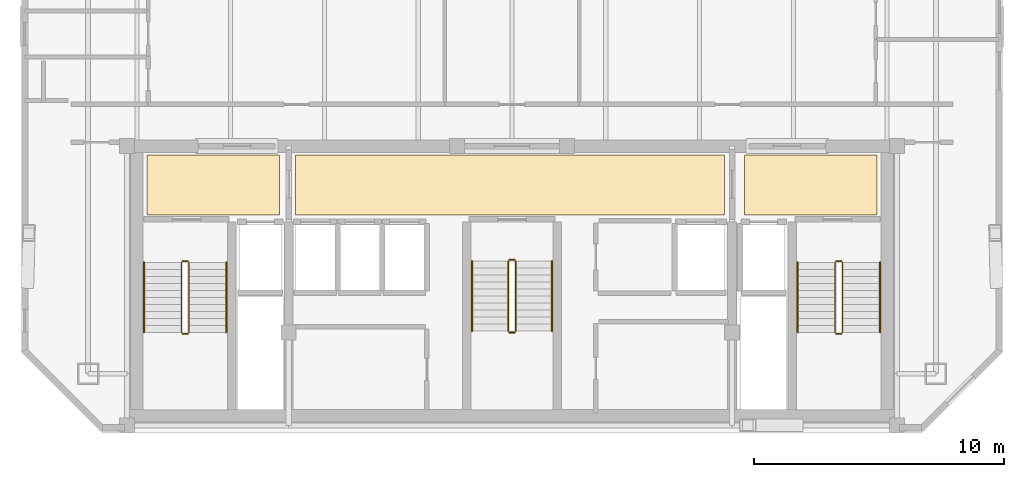
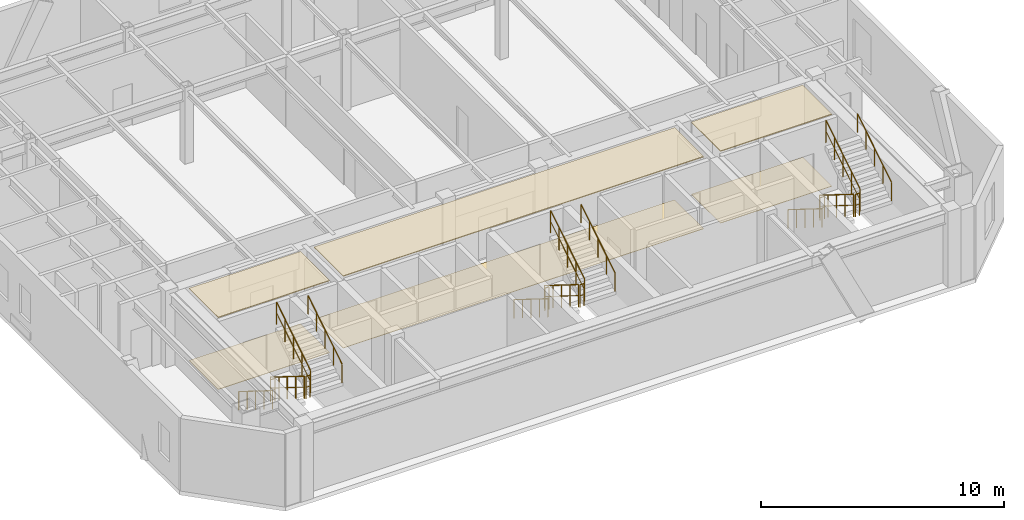
# One storey, part 7 of 7: 18 railings, 6 coverings.
"""IFC4 building model written with IfcOpenShell, lengths in metres."""

import ifcopenshell
import ifcopenshell.guid

model = None  # the IFC model being written
_history = None  # IfcOwnerHistory: only IFC2X3 demands one
_inside = {}  # id of a spatial element -> (the spatial element, [elements in it])
_under = {}  # id of a project, library or spatial element -> (it, [spatial elements below it])
_declared = {}  # id of a project -> (the project, [libraries it declares])
_typed = {}  # id of a type object -> (the type object, [elements of that type])
_made_of = {}  # id of a material, layer set ... -> (it, [elements and type objects made of it])


def new_model(schema):
    """Start an empty IFC model of exactly this schema.

    Asked for "IFC4X3", IfcOpenShell would pick the latest addendum, in which some entities
    have other attributes; the version numbers below select the first issue.
    IFC2X3 requires an IfcOwnerHistory on every rooted entity: one is made here for all.
    """
    global model, _history
    if schema == "IFC4X3":
        model = ifcopenshell.file(schema_version=(4, 3, 0, 0))
    else:
        model = ifcopenshell.file(schema=schema)
    _inside.clear()
    _under.clear()
    _declared.clear()
    _typed.clear()
    _made_of.clear()
    _history = None
    if model.schema == "IFC2X3":
        org = make("IfcOrganization", Name="unknown")
        user = make(
            "IfcPersonAndOrganization",
            ThePerson=make("IfcPerson", FamilyName="unknown"),
            TheOrganization=org,
        )
        app = make(
            "IfcApplication",
            ApplicationDeveloper=org,
            Version="unknown",
            ApplicationFullName="unknown",
            ApplicationIdentifier="unknown",
        )
        _history = make(
            "IfcOwnerHistory",
            OwningUser=user,
            OwningApplication=app,
            ChangeAction="ADDED",
            CreationDate=0,
        )
    return model


def make(cls, **values):
    """One entity of the class cls with the attributes given. An attribute that is None is left unset."""
    return model.create_entity(
        cls, **{name: value for name, value in values.items() if value is not None}
    )


def rooted(cls, **values):
    """An entity with a GlobalId (a new one), such as an element, a storey or a relation."""
    return make(cls, GlobalId=ifcopenshell.guid.new(), OwnerHistory=_history, **values)


def si_unit(unit_type, name, prefix=None):
    """IfcSIUnit, for example si_unit("LENGTHUNIT", "METRE", prefix="MILLI")."""
    return make("IfcSIUnit", UnitType=unit_type, Prefix=prefix, Name=name)


def assignment(units):
    """IfcUnitAssignment: the units of a project."""
    return None if units is None else make("IfcUnitAssignment", Units=units)


def point(xyz):
    """IfcCartesianPoint."""
    return None if xyz is None else make("IfcCartesianPoint", Coordinates=xyz)


def direction(xyz):
    """IfcDirection."""
    return None if xyz is None else make("IfcDirection", DirectionRatios=xyz)


def frame(location, z_axis=None, x_axis=None):
    """IfcAxis2Placement3D, a coordinate frame: its origin and axes. An axis left out is left unset."""
    return make(
        "IfcAxis2Placement3D",
        Location=point(location),
        Axis=direction(z_axis),
        RefDirection=direction(x_axis),
    )


def frame_2d(location, x_axis=None):
    """IfcAxis2Placement2D, a coordinate frame in the plane: its origin and x axis."""
    return make(
        "IfcAxis2Placement2D", Location=point(location), RefDirection=direction(x_axis)
    )


def origin():
    """The frame at (0, 0, 0) with its axes left unset."""
    return frame((0.0, 0.0, 0.0))


def origin_2d():
    """The frame at (0, 0) in the plane with its x axis left unset."""
    return frame_2d((0.0, 0.0))


def place(relative_to, where):
    """IfcLocalPlacement: puts the frame where relative to a parent placement (None: the world)."""
    return make(
        "IfcLocalPlacement", PlacementRelTo=relative_to, RelativePlacement=where
    )


def context(
    kind, dimensions, precision=None, world=None, true_north=None, identifier=None
):
    """IfcGeometricRepresentationContext, for example the 3D "Model" context."""
    return make(
        "IfcGeometricRepresentationContext",
        ContextIdentifier=identifier,
        ContextType=kind,
        CoordinateSpaceDimension=dimensions,
        Precision=precision,
        WorldCoordinateSystem=world,
        TrueNorth=true_north,
    )


def subcontext(parent, identifier, kind, view, scale=None):
    """IfcGeometricRepresentationSubContext, for example "Body" below "Model"."""
    return make(
        "IfcGeometricRepresentationSubContext",
        ContextIdentifier=identifier,
        ContextType=kind,
        ParentContext=parent,
        TargetScale=scale,
        TargetView=view,
    )


def project(units=None, contexts=None):
    """IfcProject with its units and contexts."""
    return rooted(
        "IfcProject",
        Name="project",
        RepresentationContexts=contexts,
        UnitsInContext=assignment(units),
    )


def spatial(cls, under=None, at=None, **own):
    """A site, building, storey or space (cls), placed at a placement, below another one or the project."""
    s = rooted(cls, ObjectPlacement=at, **own)
    if under is not None:
        _under.setdefault(under.id(), (under, []))[1].append(s)
    return s


def polyline(points):
    """IfcPolyline through the points."""
    return make("IfcPolyline", Points=[point(p) for p in points])


def profile(cls, at=None, kind="AREA", **sizes):
    """A parametric profile (cls). Its sizes go by their IFC names, for example OverallWidth=200.0."""
    return make(cls, ProfileType=kind, Position=at, **sizes)


def circle(**sizes):
    """IfcCircleProfileDef."""
    return profile("IfcCircleProfileDef", **sizes)


def outline(outer, holes=None, kind="AREA"):
    """IfcArbitraryClosedProfileDef: a profile drawn as a closed curve; with holes, ...WithVoids."""
    if holes is None:
        return make("IfcArbitraryClosedProfileDef", ProfileType=kind, OuterCurve=outer)
    return make(
        "IfcArbitraryProfileDefWithVoids",
        ProfileType=kind,
        OuterCurve=outer,
        InnerCurves=holes,
    )


def extrude(swept, where, along, depth):
    """IfcExtrudedAreaSolid: the profile swept, set in the frame where, extruded along a direction by depth."""
    return make(
        "IfcExtrudedAreaSolid",
        SweptArea=swept,
        Position=where,
        ExtrudedDirection=direction(along),
        Depth=depth,
    )


def shape(context_of_items, identifier, shape_type, items):
    """IfcShapeRepresentation: the items that make up one representation, for example the "Body"."""
    return make(
        "IfcShapeRepresentation",
        ContextOfItems=context_of_items,
        RepresentationIdentifier=identifier,
        RepresentationType=shape_type,
        Items=items,
    )


def material(Name=None, Category=None):
    """IfcMaterial."""
    return make("IfcMaterial", Name=Name, Category=Category)


def layer(
    of_material, thickness, ventilated=None, Name=None, Category=None, Priority=None
):
    """IfcMaterialLayer: one layer of a wall or slab, of a material (None: an air gap)."""
    return make(
        "IfcMaterialLayer",
        Material=of_material,
        LayerThickness=thickness,
        IsVentilated=ventilated,
        Name=Name,
        Category=Category,
        Priority=Priority,
    )


def layer_set(layers, Name=None):
    """IfcMaterialLayerSet."""
    return make("IfcMaterialLayerSet", MaterialLayers=layers, LayerSetName=Name)


def made_of(thing, what):
    """Note that an element or type object is made of a material, layer set ...; save() writes the relation."""
    if what is not None:
        _made_of.setdefault(what.id(), (what, []))[1].append(thing)
    return thing


def type_object(cls, material=None, **own):
    """A type object (cls), such as IfcWallType, which elements share."""
    return made_of(rooted(cls, **own), material)


def element(
    cls,
    number,
    at=None,
    inside=None,
    cuts=None,
    type_object=None,
    material=None,
    context=None,
    identifier="Body",
    shape_type=None,
    held_by="IfcProductDefinitionShape",
    body=None,
    shapes=None,
    **own,
):
    """One element of the class cls, such as IfcWall. Its Tag is "e" and its number.

    at: its placement. inside: the storey or other place that contains it. cuts: it is an
    opening in that element (IfcRelVoidsElement). A single representation is given by context,
    identifier, shape_type and body (its items); several are given by shapes. held_by: the class
    of the entity that holds the representations. save() writes the other relations.
    """
    e = rooted(cls, Tag="e%d" % number, ObjectPlacement=at, **own)
    if body is not None:
        shapes = [shape(context, identifier, shape_type, body)]
    if shapes is not None:
        e.Representation = make(held_by, Representations=shapes)
    if inside is not None:
        _inside.setdefault(inside.id(), (inside, []))[1].append(e)
    if cuts is not None:
        rooted(
            "IfcRelVoidsElement", RelatingBuildingElement=cuts, RelatedOpeningElement=e
        )
    if type_object is not None:
        _typed.setdefault(type_object.id(), (type_object, []))[1].append(e)
    return made_of(e, material)


def aggregate(whole, parts):
    """IfcRelAggregates: a whole, such as a stair, and the parts it consists of."""
    return rooted("IfcRelAggregates", RelatingObject=whole, RelatedObjects=parts)


def save(model, path):
    """Write the relations noted so far, then the file.

    IfcRelAggregates (storeys below a building ...), IfcRelContainedInSpatialStructure (elements
    in a storey), IfcRelDefinesByType, IfcRelAssociatesMaterial and IfcRelDeclares: one each for
    every whole, place, type object, material and project.
    """
    for whole, parts in _under.values():
        aggregate(whole, parts)
    for where, things in _inside.values():
        rooted(
            "IfcRelContainedInSpatialStructure",
            RelatedElements=things,
            RelatingStructure=where,
        )
    for kind, things in _typed.values():
        rooted("IfcRelDefinesByType", RelatedObjects=things, RelatingType=kind)
    for what, things in _made_of.values():
        rooted("IfcRelAssociatesMaterial", RelatedObjects=things, RelatingMaterial=what)
    for by, libraries in _declared.values():
        rooted("IfcRelDeclares", RelatingContext=by, RelatedDefinitions=libraries)
    model.write(path)


model = new_model("IFC4")

# Units and contexts
model_context = context("Model", 3, precision=1e-05, world=origin(), true_north=direction((0.0, 1.0)))
body_context = subcontext(model_context, "Body", "Model", "MODEL_VIEW")
ifc_project = project(units=[si_unit("LENGTHUNIT", "METRE"), si_unit("AREAUNIT", "SQUARE_METRE"), si_unit("VOLUMEUNIT", "CUBIC_METRE"), si_unit("PLANEANGLEUNIT", "RADIAN"), si_unit("MASSUNIT", "GRAM", prefix="KILO")], contexts=[model_context])

# Site, building, storey
site_placement = place(None, origin())
site = spatial("IfcSite", under=ifc_project, at=site_placement, CompositionType="ELEMENT")
building_placement = place(site_placement, origin())
building = spatial("IfcBuilding", under=site, at=building_placement, Name="Ventersveld Concourse Tower", CompositionType="ELEMENT")
storey_placement = place(building_placement, frame((0.0, 0.0, 324.60009765625)))
storey = spatial("IfcBuildingStorey", under=building, at=storey_placement, Name="L80", CompositionType="ELEMENT", Elevation=324.60009765625)

# Coverings
ifc_material_1 = material(Name="Mineral-fibre acoustic ceiling tile", Category="gypsum")
ifc_layer_1 = layer(ifc_material_1, 0.0400390625)
ifc_layer_set_1 = layer_set([ifc_layer_1], Name="Mineral-fibre acoustic ceiling tile")
covering_type_1 = type_object("IfcCoveringType", Name="COV-CEIL-ACOUSTIC", PredefinedType="CEILING", material=ifc_layer_set_1)
covering_1_placement = place(storey_placement, frame((0.0, 0.0, 3.60986328125)))
element("IfcCovering", 1, at=covering_1_placement, inside=storey, type_object=covering_type_1, Name="L80 North Lift Lobby Acoustic Ceiling", PredefinedType="CEILING", context=body_context, shape_type="SweptSolid", body=[
    extrude(outline(polyline([(20.10009765625, 8.699951171875), (37.25, 8.699951171875), (37.25, 11.10009765625), (20.10009765625, 11.10009765625), (20.10009765625, 8.699951171875)])), origin(), (0.0, 0.0, 1.0), 0.0400390625),
])
covering_2_placement = place(storey_placement, frame((0.0, 0.0, 3.60986328125)))
element("IfcCovering", 2, at=covering_2_placement, inside=storey, type_object=covering_type_1, Name="L80 West Firefighting Lobby Acoustic Ceiling", PredefinedType="CEILING", context=body_context, shape_type="SweptSolid", body=[
    extrude(outline(polyline([(14.14990234375, 8.699951171875), (19.449951171875, 8.699951171875), (19.449951171875, 11.10009765625), (14.14990234375, 11.10009765625), (14.14990234375, 8.699951171875)])), origin(), (0.0, 0.0, 1.0), 0.0400390625),
])
covering_3_placement = place(storey_placement, frame((0.0, 0.0, 3.60986328125)))
element("IfcCovering", 3, at=covering_3_placement, inside=storey, type_object=covering_type_1, Name="L80 East Firefighting Lobby Acoustic Ceiling", PredefinedType="CEILING", context=body_context, shape_type="SweptSolid", body=[
    extrude(outline(polyline([(38.050048828125, 8.699951171875), (43.35009765625, 8.699951171875), (43.35009765625, 11.10009765625), (38.050048828125, 11.10009765625), (38.050048828125, 8.699951171875)])), origin(), (0.0, 0.0, 1.0), 0.0400390625),
])
ifc_material_2 = material(Name="Polished Highveld granite terrazzo", Category="masonry")
ifc_layer_2 = layer(ifc_material_2, 0.02001953125)
ifc_layer_set_2 = layer_set([ifc_layer_2], Name="Polished Highveld granite terrazzo")
covering_type_2 = type_object("IfcCoveringType", Name="COV-FLOOR-TERRAZZO", PredefinedType="FLOORING", material=ifc_layer_set_2)
covering_4_placement = place(storey_placement, origin())
element("IfcCovering", 4, at=covering_4_placement, inside=storey, type_object=covering_type_2, Name="L80 North Lift Lobby Terrazzo Flooring", PredefinedType="FLOORING", context=body_context, shape_type="SweptSolid", body=[
    extrude(outline(polyline([(20.10009765625, 8.699951171875), (37.25, 8.699951171875), (37.25, 11.10009765625), (20.10009765625, 11.10009765625), (20.10009765625, 8.699951171875)])), origin(), (0.0, 0.0, 1.0), 0.02001953125),
])
covering_5_placement = place(storey_placement, origin())
element("IfcCovering", 5, at=covering_5_placement, inside=storey, type_object=covering_type_2, Name="L80 West Firefighting Lobby Terrazzo Flooring", PredefinedType="FLOORING", context=body_context, shape_type="SweptSolid", body=[
    extrude(outline(polyline([(14.14990234375, 8.699951171875), (19.449951171875, 8.699951171875), (19.449951171875, 11.10009765625), (14.14990234375, 11.10009765625), (14.14990234375, 8.699951171875)])), origin(), (0.0, 0.0, 1.0), 0.02001953125),
])
covering_6_placement = place(storey_placement, origin())
element("IfcCovering", 6, at=covering_6_placement, inside=storey, type_object=covering_type_2, Name="L80 East Firefighting Lobby Terrazzo Flooring", PredefinedType="FLOORING", context=body_context, shape_type="SweptSolid", body=[
    extrude(outline(polyline([(38.050048828125, 8.699951171875), (43.35009765625, 8.699951171875), (43.35009765625, 11.10009765625), (38.050048828125, 11.10009765625), (38.050048828125, 8.699951171875)])), origin(), (0.0, 0.0, 1.0), 0.02001953125),
])

# Railings
ifc_material_3 = material(Name="Brushed stainless steel 316", Category="steel")
railing_type_1 = type_object("IfcRailingType", Name="GD-BAL-115", PredefinedType="GUARDRAIL", material=ifc_material_3)
railing_1_placement = place(storey_placement, frame((15.530029296875, 6.800048828125, 0.1748046875)))
element("IfcRailing", 7, at=railing_1_placement, inside=storey, type_object=railing_type_1, Name="L80 ST-01 stair guard 1", PredefinedType="GUARDRAIL", context=body_context, shape_type="SweptSolid", body=[
    extrude(circle(Radius=0.02392578125, at=origin_2d()), frame((0.0, 0.0, 1.1259765625), z_axis=(0.0, -0.848002457836, 0.529992293815), x_axis=(1.0, 0.0, 0.0)), (0.0, 0.0, 1.0), 3.302001953125),
    extrude(circle(Radius=0.01611328125, at=origin_2d()), frame((0.0, 0.0, 0.574951171875), z_axis=(0.0, -0.848002457836, 0.529992293815), x_axis=(1.0, 0.0, 0.0)), (0.0, 0.0, 1.0), 3.302001953125),
    extrude(circle(Radius=0.02099609375, at=origin_2d()), origin(), (0.0, 0.0, 1.0), 1.101806640625),
    extrude(circle(Radius=0.02099609375, at=origin_2d()), frame((0.0, -0.699951171875, 0.4375)), (0.0, 0.0, 1.0), 1.101806640625),
    extrude(circle(Radius=0.02099609375, at=origin_2d()), frame((0.0, -1.39990234375, 0.875)), (0.0, 0.0, 1.0), 1.101806640625),
    extrude(circle(Radius=0.02099609375, at=origin_2d()), frame((0.0, -2.10009765625, 1.3125)), (0.0, 0.0, 1.0), 1.101806640625),
    extrude(circle(Radius=0.02099609375, at=origin_2d()), frame((0.0, -2.800048828125, 1.75)), (0.0, 0.0, 1.0), 1.101806640625),
])
railing_2_placement = place(storey_placement, frame((15.580078125, 3.949951171875, 1.9248046875)))
element("IfcRailing", 8, at=railing_2_placement, inside=storey, type_object=railing_type_1, Name="L80 ST-01 stair guard 2", PredefinedType="GUARDRAIL", context=body_context, shape_type="SweptSolid", body=[
    extrude(circle(Radius=0.02392578125, at=origin_2d()), frame((0.0, 0.0, 1.1259765625), z_axis=(1.0, 0.0, 0.0), x_axis=(0.0, 1.0, 0.0)), (0.0, 0.0, 1.0), 0.199951171875),
    extrude(circle(Radius=0.01611328125, at=origin_2d()), frame((0.0, 0.0, 0.574951171875), z_axis=(1.0, 0.0, 0.0), x_axis=(0.0, 1.0, 0.0)), (0.0, 0.0, 1.0), 0.199951171875),
    extrude(circle(Radius=0.02099609375, at=origin_2d()), origin(), (0.0, 0.0, 1.0), 1.101806640625),
    extrude(circle(Radius=0.02099609375, at=origin_2d()), frame((0.199951171875, 0.0, 0.0)), (0.0, 0.0, 1.0), 1.101806640625),
])
railing_3_placement = place(storey_placement, frame((15.830078125, 4.0, 2.099853515625)))
element("IfcRailing", 9, at=railing_3_placement, inside=storey, type_object=railing_type_1, Name="L80 ST-01 stair guard 3", PredefinedType="GUARDRAIL", context=body_context, shape_type="SweptSolid", body=[
    extrude(circle(Radius=0.02392578125, at=origin_2d()), frame((0.0, 0.0, 1.1259765625), z_axis=(0.0, 0.848002457836, 0.529992293815), x_axis=(-1.0, 0.0, 0.0)), (0.0, 0.0, 1.0), 3.302001953125),
    extrude(circle(Radius=0.01611328125, at=origin_2d()), frame((0.0, 0.0, 0.574951171875), z_axis=(0.0, 0.848002457836, 0.529992293815), x_axis=(-1.0, 0.0, 0.0)), (0.0, 0.0, 1.0), 3.302001953125),
    extrude(circle(Radius=0.02099609375, at=origin_2d()), origin(), (0.0, 0.0, 1.0), 1.101806640625),
    extrude(circle(Radius=0.02099609375, at=origin_2d()), frame((0.0, 0.699951171875, 0.4375)), (0.0, 0.0, 1.0), 1.101806640625),
    extrude(circle(Radius=0.02099609375, at=origin_2d()), frame((0.0, 1.39990234375, 0.875)), (0.0, 0.0, 1.0), 1.101806640625),
    extrude(circle(Radius=0.02099609375, at=origin_2d()), frame((0.0, 2.10009765625, 1.3125)), (0.0, 0.0, 1.0), 1.101806640625),
    extrude(circle(Radius=0.02099609375, at=origin_2d()), frame((0.0, 2.800048828125, 1.75)), (0.0, 0.0, 1.0), 1.101806640625),
])
railing_4_placement = place(storey_placement, frame((15.580078125, 6.85009765625, 0.0)))
element("IfcRailing", 10, at=railing_4_placement, inside=storey, type_object=railing_type_1, Name="L80 ST-01 stair guard 4", PredefinedType="GUARDRAIL", context=body_context, shape_type="SweptSolid", body=[
    extrude(circle(Radius=0.02392578125, at=origin_2d()), frame((0.0, 0.0, 1.1259765625), z_axis=(1.0, 0.0, 0.0), x_axis=(0.0, 1.0, 0.0)), (0.0, 0.0, 1.0), 0.199951171875),
    extrude(circle(Radius=0.01611328125, at=origin_2d()), frame((0.0, 0.0, 0.574951171875), z_axis=(1.0, 0.0, 0.0), x_axis=(0.0, 1.0, 0.0)), (0.0, 0.0, 1.0), 0.199951171875),
    extrude(circle(Radius=0.02099609375, at=origin_2d()), origin(), (0.0, 0.0, 1.0), 1.101806640625),
    extrude(circle(Radius=0.02099609375, at=origin_2d()), frame((0.199951171875, 0.0, 0.0)), (0.0, 0.0, 1.0), 1.101806640625),
])
railing_5_placement = place(storey_placement, frame((41.669921875, 6.800048828125, 0.1748046875)))
element("IfcRailing", 11, at=railing_5_placement, inside=storey, type_object=railing_type_1, Name="L80 ST-02 stair guard 1", PredefinedType="GUARDRAIL", context=body_context, shape_type="SweptSolid", body=[
    extrude(circle(Radius=0.02392578125, at=origin_2d()), frame((0.0, 0.0, 1.1259765625), z_axis=(0.0, -0.848002457836, 0.529992293815), x_axis=(1.0, 0.0, 0.0)), (0.0, 0.0, 1.0), 3.302001953125),
    extrude(circle(Radius=0.01611328125, at=origin_2d()), frame((0.0, 0.0, 0.574951171875), z_axis=(0.0, -0.848002457836, 0.529992293815), x_axis=(1.0, 0.0, 0.0)), (0.0, 0.0, 1.0), 3.302001953125),
    extrude(circle(Radius=0.02099609375, at=origin_2d()), origin(), (0.0, 0.0, 1.0), 1.101806640625),
    extrude(circle(Radius=0.02099609375, at=origin_2d()), frame((0.0, -0.699951171875, 0.4375)), (0.0, 0.0, 1.0), 1.101806640625),
    extrude(circle(Radius=0.02099609375, at=origin_2d()), frame((0.0, -1.39990234375, 0.875)), (0.0, 0.0, 1.0), 1.101806640625),
    extrude(circle(Radius=0.02099609375, at=origin_2d()), frame((0.0, -2.10009765625, 1.3125)), (0.0, 0.0, 1.0), 1.101806640625),
    extrude(circle(Radius=0.02099609375, at=origin_2d()), frame((0.0, -2.800048828125, 1.75)), (0.0, 0.0, 1.0), 1.101806640625),
])
railing_6_placement = place(storey_placement, frame((41.719970703125, 3.949951171875, 1.9248046875)))
element("IfcRailing", 12, at=railing_6_placement, inside=storey, type_object=railing_type_1, Name="L80 ST-02 stair guard 2", PredefinedType="GUARDRAIL", context=body_context, shape_type="SweptSolid", body=[
    extrude(circle(Radius=0.02392578125, at=origin_2d()), frame((0.0, 0.0, 1.1259765625), z_axis=(1.0, 0.0, 0.0), x_axis=(0.0, 1.0, 0.0)), (0.0, 0.0, 1.0), 0.199951171875),
    extrude(circle(Radius=0.01611328125, at=origin_2d()), frame((0.0, 0.0, 0.574951171875), z_axis=(1.0, 0.0, 0.0), x_axis=(0.0, 1.0, 0.0)), (0.0, 0.0, 1.0), 0.199951171875),
    extrude(circle(Radius=0.02099609375, at=origin_2d()), origin(), (0.0, 0.0, 1.0), 1.101806640625),
    extrude(circle(Radius=0.02099609375, at=origin_2d()), frame((0.199951171875, 0.0, 0.0)), (0.0, 0.0, 1.0), 1.101806640625),
])
railing_7_placement = place(storey_placement, frame((41.969970703125, 4.0, 2.099853515625)))
element("IfcRailing", 13, at=railing_7_placement, inside=storey, type_object=railing_type_1, Name="L80 ST-02 stair guard 3", PredefinedType="GUARDRAIL", context=body_context, shape_type="SweptSolid", body=[
    extrude(circle(Radius=0.02392578125, at=origin_2d()), frame((0.0, 0.0, 1.1259765625), z_axis=(0.0, 0.848002457836, 0.529992293815), x_axis=(-1.0, 0.0, 0.0)), (0.0, 0.0, 1.0), 3.302001953125),
    extrude(circle(Radius=0.01611328125, at=origin_2d()), frame((0.0, 0.0, 0.574951171875), z_axis=(0.0, 0.848002457836, 0.529992293815), x_axis=(-1.0, 0.0, 0.0)), (0.0, 0.0, 1.0), 3.302001953125),
    extrude(circle(Radius=0.02099609375, at=origin_2d()), origin(), (0.0, 0.0, 1.0), 1.101806640625),
    extrude(circle(Radius=0.02099609375, at=origin_2d()), frame((0.0, 0.699951171875, 0.4375)), (0.0, 0.0, 1.0), 1.101806640625),
    extrude(circle(Radius=0.02099609375, at=origin_2d()), frame((0.0, 1.39990234375, 0.875)), (0.0, 0.0, 1.0), 1.101806640625),
    extrude(circle(Radius=0.02099609375, at=origin_2d()), frame((0.0, 2.10009765625, 1.3125)), (0.0, 0.0, 1.0), 1.101806640625),
    extrude(circle(Radius=0.02099609375, at=origin_2d()), frame((0.0, 2.800048828125, 1.75)), (0.0, 0.0, 1.0), 1.101806640625),
])
railing_8_placement = place(storey_placement, frame((41.719970703125, 6.85009765625, 0.0)))
element("IfcRailing", 14, at=railing_8_placement, inside=storey, type_object=railing_type_1, Name="L80 ST-02 stair guard 4", PredefinedType="GUARDRAIL", context=body_context, shape_type="SweptSolid", body=[
    extrude(circle(Radius=0.02392578125, at=origin_2d()), frame((0.0, 0.0, 1.1259765625), z_axis=(1.0, 0.0, 0.0), x_axis=(0.0, 1.0, 0.0)), (0.0, 0.0, 1.0), 0.199951171875),
    extrude(circle(Radius=0.01611328125, at=origin_2d()), frame((0.0, 0.0, 0.574951171875), z_axis=(1.0, 0.0, 0.0), x_axis=(0.0, 1.0, 0.0)), (0.0, 0.0, 1.0), 0.199951171875),
    extrude(circle(Radius=0.02099609375, at=origin_2d()), origin(), (0.0, 0.0, 1.0), 1.101806640625),
    extrude(circle(Radius=0.02099609375, at=origin_2d()), frame((0.199951171875, 0.0, 0.0)), (0.0, 0.0, 1.0), 1.101806640625),
])
railing_9_placement = place(storey_placement, frame((28.60009765625, 6.85009765625, 0.1748046875)))
element("IfcRailing", 15, at=railing_9_placement, inside=storey, type_object=railing_type_1, Name="L80 ST-03 stair guard 1", PredefinedType="GUARDRAIL", context=body_context, shape_type="SweptSolid", body=[
    extrude(circle(Radius=0.02392578125, at=origin_2d()), frame((0.0, 0.0, 1.1259765625), z_axis=(0.0, -0.848002457836, 0.529992293815), x_axis=(1.0, 0.0, 0.0)), (0.0, 0.0, 1.0), 3.302001953125),
    extrude(circle(Radius=0.01611328125, at=origin_2d()), frame((0.0, 0.0, 0.574951171875), z_axis=(0.0, -0.848002457836, 0.529992293815), x_axis=(1.0, 0.0, 0.0)), (0.0, 0.0, 1.0), 3.302001953125),
    extrude(circle(Radius=0.02099609375, at=origin_2d()), origin(), (0.0, 0.0, 1.0), 1.101806640625),
    extrude(circle(Radius=0.02099609375, at=origin_2d()), frame((0.0, -0.699951171875, 0.4375)), (0.0, 0.0, 1.0), 1.101806640625),
    extrude(circle(Radius=0.02099609375, at=origin_2d()), frame((0.0, -1.39990234375, 0.875)), (0.0, 0.0, 1.0), 1.101806640625),
    extrude(circle(Radius=0.02099609375, at=origin_2d()), frame((0.0, -2.10009765625, 1.3125)), (0.0, 0.0, 1.0), 1.101806640625),
    extrude(circle(Radius=0.02099609375, at=origin_2d()), frame((0.0, -2.800048828125, 1.75)), (0.0, 0.0, 1.0), 1.101806640625),
])
railing_10_placement = place(storey_placement, frame((28.64990234375, 4.0, 1.9248046875)))
element("IfcRailing", 16, at=railing_10_placement, inside=storey, type_object=railing_type_1, Name="L80 ST-03 stair guard 2", PredefinedType="GUARDRAIL", context=body_context, shape_type="SweptSolid", body=[
    extrude(circle(Radius=0.02392578125, at=origin_2d()), frame((0.0, 0.0, 1.1259765625), z_axis=(1.0, 0.0, 0.0), x_axis=(0.0, 1.0, 0.0)), (0.0, 0.0, 1.0), 0.2001953125),
    extrude(circle(Radius=0.01611328125, at=origin_2d()), frame((0.0, 0.0, 0.574951171875), z_axis=(1.0, 0.0, 0.0), x_axis=(0.0, 1.0, 0.0)), (0.0, 0.0, 1.0), 0.2001953125),
    extrude(circle(Radius=0.02099609375, at=origin_2d()), origin(), (0.0, 0.0, 1.0), 1.101806640625),
    extrude(circle(Radius=0.02099609375, at=origin_2d()), frame((0.2001953125, 0.0, 0.0)), (0.0, 0.0, 1.0), 1.101806640625),
])
railing_11_placement = place(storey_placement, frame((28.89990234375, 4.050048828125, 2.099853515625)))
element("IfcRailing", 17, at=railing_11_placement, inside=storey, type_object=railing_type_1, Name="L80 ST-03 stair guard 3", PredefinedType="GUARDRAIL", context=body_context, shape_type="SweptSolid", body=[
    extrude(circle(Radius=0.02392578125, at=origin_2d()), frame((0.0, 0.0, 1.1259765625), z_axis=(0.0, 0.848002457836, 0.529992293815), x_axis=(-1.0, 0.0, 0.0)), (0.0, 0.0, 1.0), 3.302001953125),
    extrude(circle(Radius=0.01611328125, at=origin_2d()), frame((0.0, 0.0, 0.574951171875), z_axis=(0.0, 0.848002457836, 0.529992293815), x_axis=(-1.0, 0.0, 0.0)), (0.0, 0.0, 1.0), 3.302001953125),
    extrude(circle(Radius=0.02099609375, at=origin_2d()), origin(), (0.0, 0.0, 1.0), 1.101806640625),
    extrude(circle(Radius=0.02099609375, at=origin_2d()), frame((0.0, 0.699951171875, 0.4375)), (0.0, 0.0, 1.0), 1.101806640625),
    extrude(circle(Radius=0.02099609375, at=origin_2d()), frame((0.0, 1.39990234375, 0.875)), (0.0, 0.0, 1.0), 1.101806640625),
    extrude(circle(Radius=0.02099609375, at=origin_2d()), frame((0.0, 2.10009765625, 1.3125)), (0.0, 0.0, 1.0), 1.101806640625),
    extrude(circle(Radius=0.02099609375, at=origin_2d()), frame((0.0, 2.800048828125, 1.75)), (0.0, 0.0, 1.0), 1.101806640625),
])
railing_12_placement = place(storey_placement, frame((28.64990234375, 6.89990234375, 0.0)))
element("IfcRailing", 18, at=railing_12_placement, inside=storey, type_object=railing_type_1, Name="L80 ST-03 stair guard 4", PredefinedType="GUARDRAIL", context=body_context, shape_type="SweptSolid", body=[
    extrude(circle(Radius=0.02392578125, at=origin_2d()), frame((0.0, 0.0, 1.1259765625), z_axis=(1.0, 0.0, 0.0), x_axis=(0.0, 1.0, 0.0)), (0.0, 0.0, 1.0), 0.2001953125),
    extrude(circle(Radius=0.01611328125, at=origin_2d()), frame((0.0, 0.0, 0.574951171875), z_axis=(1.0, 0.0, 0.0), x_axis=(0.0, 1.0, 0.0)), (0.0, 0.0, 1.0), 0.2001953125),
    extrude(circle(Radius=0.02099609375, at=origin_2d()), origin(), (0.0, 0.0, 1.0), 1.101806640625),
    extrude(circle(Radius=0.02099609375, at=origin_2d()), frame((0.2001953125, 0.0, 0.0)), (0.0, 0.0, 1.0), 1.101806640625),
])
railing_type_2 = type_object("IfcRailingType", Name="HR-RMP-095", PredefinedType="HANDRAIL", material=ifc_material_3)
railing_13_placement = place(storey_placement, frame((14.030029296875, 6.800048828125, 0.1748046875)))
element("IfcRailing", 19, at=railing_13_placement, inside=storey, type_object=railing_type_2, Name="L80 ST-01 stair handrail 1", PredefinedType="HANDRAIL", context=body_context, shape_type="SweptSolid", body=[
    extrude(circle(Radius=0.02392578125, at=origin_2d()), frame((0.0, 0.0, 0.92578125), z_axis=(0.0, -0.848002457836, 0.529992293815), x_axis=(1.0, 0.0, 0.0)), (0.0, 0.0, 1.0), 3.302001953125),
    extrude(circle(Radius=0.02099609375, at=origin_2d()), origin(), (0.0, 0.0, 1.0), 0.90185546875),
    extrude(circle(Radius=0.02099609375, at=origin_2d()), frame((0.0, -0.699951171875, 0.4375)), (0.0, 0.0, 1.0), 0.90185546875),
    extrude(circle(Radius=0.02099609375, at=origin_2d()), frame((0.0, -1.39990234375, 0.875)), (0.0, 0.0, 1.0), 0.90185546875),
    extrude(circle(Radius=0.02099609375, at=origin_2d()), frame((0.0, -2.10009765625, 1.3125)), (0.0, 0.0, 1.0), 0.90185546875),
    extrude(circle(Radius=0.02099609375, at=origin_2d()), frame((0.0, -2.800048828125, 1.75)), (0.0, 0.0, 1.0), 0.90185546875),
])
railing_14_placement = place(storey_placement, frame((17.330078125, 4.0, 2.099853515625)))
element("IfcRailing", 20, at=railing_14_placement, inside=storey, type_object=railing_type_2, Name="L80 ST-01 stair handrail 2", PredefinedType="HANDRAIL", context=body_context, shape_type="SweptSolid", body=[
    extrude(circle(Radius=0.02392578125, at=origin_2d()), frame((0.0, 0.0, 0.92578125), z_axis=(0.0, 0.848002457836, 0.529992293815), x_axis=(-1.0, 0.0, 0.0)), (0.0, 0.0, 1.0), 3.302001953125),
    extrude(circle(Radius=0.02099609375, at=origin_2d()), origin(), (0.0, 0.0, 1.0), 0.90185546875),
    extrude(circle(Radius=0.02099609375, at=origin_2d()), frame((0.0, 0.699951171875, 0.4375)), (0.0, 0.0, 1.0), 0.90185546875),
    extrude(circle(Radius=0.02099609375, at=origin_2d()), frame((0.0, 1.39990234375, 0.875)), (0.0, 0.0, 1.0), 0.90185546875),
    extrude(circle(Radius=0.02099609375, at=origin_2d()), frame((0.0, 2.10009765625, 1.3125)), (0.0, 0.0, 1.0), 0.90185546875),
    extrude(circle(Radius=0.02099609375, at=origin_2d()), frame((0.0, 2.800048828125, 1.75)), (0.0, 0.0, 1.0), 0.90185546875),
])
railing_15_placement = place(storey_placement, frame((40.169921875, 6.800048828125, 0.1748046875)))
element("IfcRailing", 21, at=railing_15_placement, inside=storey, type_object=railing_type_2, Name="L80 ST-02 stair handrail 1", PredefinedType="HANDRAIL", context=body_context, shape_type="SweptSolid", body=[
    extrude(circle(Radius=0.02392578125, at=origin_2d()), frame((0.0, 0.0, 0.92578125), z_axis=(0.0, -0.848002457836, 0.529992293815), x_axis=(1.0, 0.0, 0.0)), (0.0, 0.0, 1.0), 3.302001953125),
    extrude(circle(Radius=0.02099609375, at=origin_2d()), origin(), (0.0, 0.0, 1.0), 0.90185546875),
    extrude(circle(Radius=0.02099609375, at=origin_2d()), frame((0.0, -0.699951171875, 0.4375)), (0.0, 0.0, 1.0), 0.90185546875),
    extrude(circle(Radius=0.02099609375, at=origin_2d()), frame((0.0, -1.39990234375, 0.875)), (0.0, 0.0, 1.0), 0.90185546875),
    extrude(circle(Radius=0.02099609375, at=origin_2d()), frame((0.0, -2.10009765625, 1.3125)), (0.0, 0.0, 1.0), 0.90185546875),
    extrude(circle(Radius=0.02099609375, at=origin_2d()), frame((0.0, -2.800048828125, 1.75)), (0.0, 0.0, 1.0), 0.90185546875),
])
railing_16_placement = place(storey_placement, frame((43.469970703125, 4.0, 2.099853515625)))
element("IfcRailing", 22, at=railing_16_placement, inside=storey, type_object=railing_type_2, Name="L80 ST-02 stair handrail 2", PredefinedType="HANDRAIL", context=body_context, shape_type="SweptSolid", body=[
    extrude(circle(Radius=0.02392578125, at=origin_2d()), frame((0.0, 0.0, 0.92578125), z_axis=(0.0, 0.848002457836, 0.529992293815), x_axis=(-1.0, 0.0, 0.0)), (0.0, 0.0, 1.0), 3.302001953125),
    extrude(circle(Radius=0.02099609375, at=origin_2d()), origin(), (0.0, 0.0, 1.0), 0.90185546875),
    extrude(circle(Radius=0.02099609375, at=origin_2d()), frame((0.0, 0.699951171875, 0.4375)), (0.0, 0.0, 1.0), 0.90185546875),
    extrude(circle(Radius=0.02099609375, at=origin_2d()), frame((0.0, 1.39990234375, 0.875)), (0.0, 0.0, 1.0), 0.90185546875),
    extrude(circle(Radius=0.02099609375, at=origin_2d()), frame((0.0, 2.10009765625, 1.3125)), (0.0, 0.0, 1.0), 0.90185546875),
    extrude(circle(Radius=0.02099609375, at=origin_2d()), frame((0.0, 2.800048828125, 1.75)), (0.0, 0.0, 1.0), 0.90185546875),
])
railing_17_placement = place(storey_placement, frame((27.14990234375, 6.85009765625, 0.1748046875)))
element("IfcRailing", 23, at=railing_17_placement, inside=storey, type_object=railing_type_2, Name="L80 ST-03 stair handrail 1", PredefinedType="HANDRAIL", context=body_context, shape_type="SweptSolid", body=[
    extrude(circle(Radius=0.02392578125, at=origin_2d()), frame((0.0, 0.0, 0.92578125), z_axis=(0.0, -0.848002457836, 0.529992293815), x_axis=(1.0, 0.0, 0.0)), (0.0, 0.0, 1.0), 3.302001953125),
    extrude(circle(Radius=0.02099609375, at=origin_2d()), origin(), (0.0, 0.0, 1.0), 0.90185546875),
    extrude(circle(Radius=0.02099609375, at=origin_2d()), frame((0.0, -0.699951171875, 0.4375)), (0.0, 0.0, 1.0), 0.90185546875),
    extrude(circle(Radius=0.02099609375, at=origin_2d()), frame((0.0, -1.39990234375, 0.875)), (0.0, 0.0, 1.0), 0.90185546875),
    extrude(circle(Radius=0.02099609375, at=origin_2d()), frame((0.0, -2.10009765625, 1.3125)), (0.0, 0.0, 1.0), 0.90185546875),
    extrude(circle(Radius=0.02099609375, at=origin_2d()), frame((0.0, -2.800048828125, 1.75)), (0.0, 0.0, 1.0), 0.90185546875),
])
railing_18_placement = place(storey_placement, frame((30.35009765625, 4.050048828125, 2.099853515625)))
element("IfcRailing", 24, at=railing_18_placement, inside=storey, type_object=railing_type_2, Name="L80 ST-03 stair handrail 2", PredefinedType="HANDRAIL", context=body_context, shape_type="SweptSolid", body=[
    extrude(circle(Radius=0.02392578125, at=origin_2d()), frame((0.0, 0.0, 0.92578125), z_axis=(0.0, 0.848002457836, 0.529992293815), x_axis=(-1.0, 0.0, 0.0)), (0.0, 0.0, 1.0), 3.302001953125),
    extrude(circle(Radius=0.02099609375, at=origin_2d()), origin(), (0.0, 0.0, 1.0), 0.90185546875),
    extrude(circle(Radius=0.02099609375, at=origin_2d()), frame((0.0, 0.699951171875, 0.4375)), (0.0, 0.0, 1.0), 0.90185546875),
    extrude(circle(Radius=0.02099609375, at=origin_2d()), frame((0.0, 1.39990234375, 0.875)), (0.0, 0.0, 1.0), 0.90185546875),
    extrude(circle(Radius=0.02099609375, at=origin_2d()), frame((0.0, 2.10009765625, 1.3125)), (0.0, 0.0, 1.0), 0.90185546875),
    extrude(circle(Radius=0.02099609375, at=origin_2d()), frame((0.0, 2.800048828125, 1.75)), (0.0, 0.0, 1.0), 0.90185546875),
])

save(model, "model.ifc")
